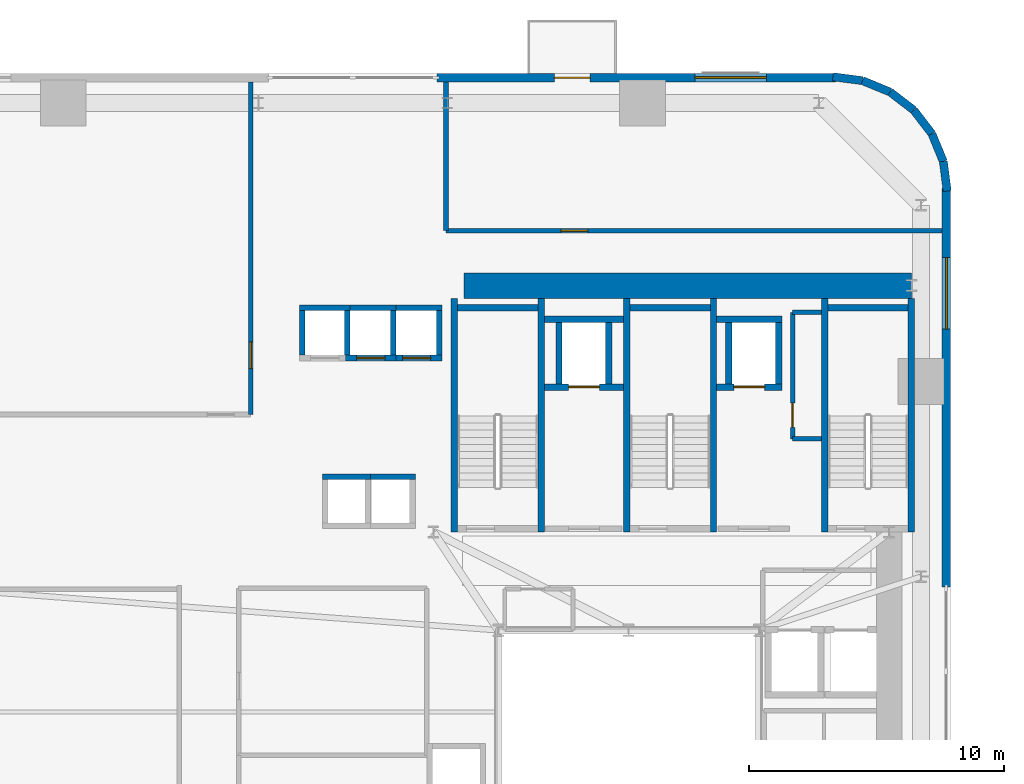
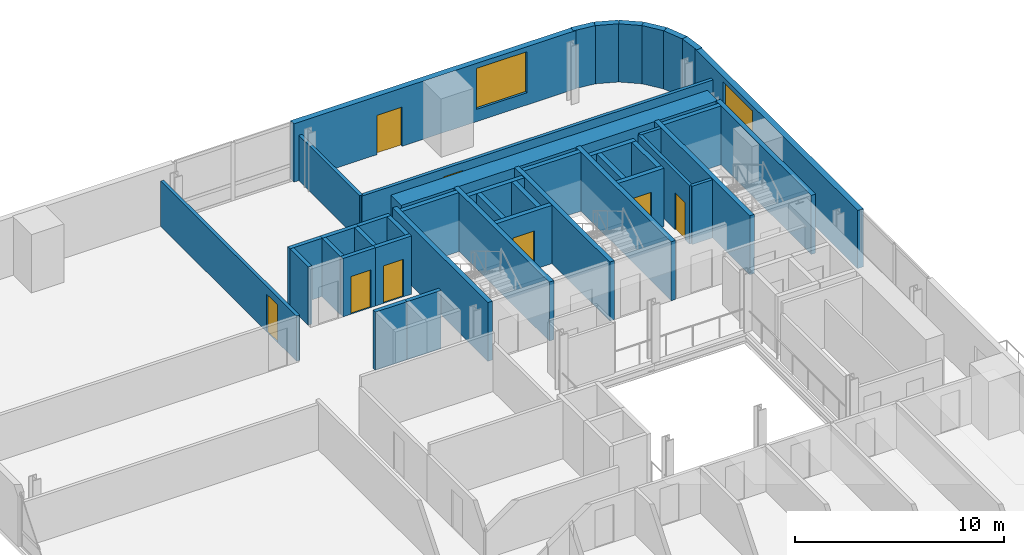
# One storey, part 8 of 13: 43 walls, 8 doors, 2 windows, 10 openings.
"""IFC4 building model written with IfcOpenShell, lengths in metres."""

from ifc_helpers import new_model, si_unit, direction, frame, frame_2d, origin, place, context, subcontext, project, spatial, rectangle, extrude, source, transform, mapped, material, layer, layer_set, type_object, element, fill, save


model = new_model("IFC4")

# Units and contexts
model_context = context("Model", 3, precision=1e-05, world=origin(), true_north=direction((0.0, 1.0)))
body_context = subcontext(model_context, "Body", "Model", "MODEL_VIEW")
ifc_project = project(units=[si_unit("LENGTHUNIT", "METRE"), si_unit("AREAUNIT", "SQUARE_METRE"), si_unit("VOLUMEUNIT", "CUBIC_METRE"), si_unit("PLANEANGLEUNIT", "RADIAN"), si_unit("MASSUNIT", "GRAM", prefix="KILO")], contexts=[model_context])

# Site, building, storey
site_placement = place(None, origin())
site = spatial("IfcSite", under=ifc_project, at=site_placement, CompositionType="ELEMENT")
building_placement = place(site_placement, origin())
building = spatial("IfcBuilding", under=site, at=building_placement, Name="Vardaveli Station Tower", CompositionType="ELEMENT")
storey_placement = place(building_placement, frame((0.0, 0.0, 64.10009765625)))
storey = spatial("IfcBuildingStorey", under=building, at=storey_placement, Name="L16", CompositionType="ELEMENT", Elevation=64.10009765625)

# Wall
ifc_material_1 = material(Name="Concrete C60/75", Category="concrete")
ifc_layer_1 = layer(ifc_material_1, 1.0, Name="Concrete C60/75")
ifc_layer_set_1 = layer_set([ifc_layer_1], Name="Concrete C60/75")
wall_type_1 = type_object("IfcWallType", Name="WAL-CORE-1000", PredefinedType="SHEAR", material=ifc_layer_set_1)
shared_shape_1 = source(origin(), body_context, "Body", "SweptSolid", [
    extrude(rectangle(XDim=17.52001953125, YDim=1.0, at=frame_2d((8.760009765625, 0.0))), origin(), (0.0, 0.0, 1.0), 3.409912109375),
])
wall_1_placement = place(storey_placement, frame((29.85009765625, 40.300048828125, 0.0), z_axis=(0.0, 0.0, 1.0), x_axis=(1.0, 0.0, 0.0)))
element("IfcWall", 1, at=wall_1_placement, inside=storey, type_object=wall_type_1, Name="SW-L16-NORTH", PredefinedType="SHEAR", context=body_context, shape_type="MappedRepresentation", body=[
    mapped(shared_shape_1, transform((0.0, 0.0, 0.0), scale=1.0)),
])

# Wall, openings, door, window
ifc_material_2 = material(Name="Precast concrete C45/55", Category="concrete")
ifc_layer_2 = layer(ifc_material_2, 0.320068359375, Name="Precast concrete C45/55")
ifc_layer_set_2 = layer_set([ifc_layer_2], Name="Precast concrete C45/55")
wall_type_2 = type_object("IfcWallType", Name="WAL-EXT-STONE-320", PredefinedType="SOLIDWALL", material=ifc_layer_set_2)
shared_shape_2 = source(origin(), body_context, "Body", "SweptSolid", [
    extrude(rectangle(XDim=15.599853515625, YDim=0.320068359375, at=frame_2d((7.7998046875, 0.0))), origin(), (0.0, 0.0, 1.0), 3.409912109375),
])
wall_2_placement = place(storey_placement, frame((44.39990234375, 48.43994140625, 0.0), z_axis=(0.0, 0.0, 1.0), x_axis=(-1.0, 0.0, 0.0)))
wall_2 = element("IfcWall", 2, at=wall_2_placement, inside=storey, type_object=wall_type_2, Name="EW-L16-N1", PredefinedType="SOLIDWALL", context=body_context, shape_type="MappedRepresentation", body=[
    mapped(shared_shape_2, transform((0.0, 0.0, 0.0), scale=1.0)),
])
shared_shape_3 = source(origin(), body_context, "Body", "SweptSolid", [
    extrude(rectangle(XDim=1.39990234375, YDim=2.300048828125, at=frame_2d((0.699951171875, 1.14990234375))), frame((0.0, 0.169921875, 0.0), z_axis=(0.0, -1.0, 0.0), x_axis=(1.0, 0.0, 0.0)), (0.0, 0.0, 1.0), 0.340087890625),
])
opening_1_placement = place(wall_2_placement, frame((9.6103515625, 0.0, 0.0)))
opening_1 = element("IfcOpeningElement", 3, at=opening_1_placement, cuts=wall_2, Name="Opening D-09", PredefinedType="OPENING", context=body_context, shape_type="MappedRepresentation", body=[
    mapped(shared_shape_3, transform((0.0, 0.0, 0.0), scale=1.0)),
])
shared_shape_4 = source(origin(), body_context, "Body", "SweptSolid", [
    extrude(rectangle(XDim=2.800048828125, YDim=2.39990234375, at=frame_2d((1.39990234375, 1.199951171875))), frame((0.0, 0.169921875, 0.0), z_axis=(0.0, -1.0, 0.0), x_axis=(1.0, 0.0, 0.0)), (0.0, 0.0, 1.0), 0.340087890625),
])
opening_2_placement = place(wall_2_placement, frame((2.705078125, 0.0, 0.719970703125)))
opening_2 = element("IfcOpeningElement", 4, at=opening_2_placement, cuts=wall_2, Name="Opening W-04", PredefinedType="OPENING", context=body_context, shape_type="MappedRepresentation", body=[
    mapped(shared_shape_4, transform((0.0, 0.0, 0.0), scale=1.0)),
])
ifc_material_3 = material(Name="Thermally broken aluminium glass", Category="aluminium")
door_type_1 = type_object("IfcDoorType", Name="DR-LOG-1400x2300", OperationType="DOUBLE_DOOR_SLIDING", PredefinedType="DOOR", material=ifc_material_3)
shared_shape_5 = source(origin(), body_context, "Body", "SweptSolid", [
    extrude(rectangle(XDim=1.39990234375, YDim=2.300048828125, at=frame_2d((0.699951171875, 1.14990234375))), frame((0.0, 0.02490234375, 0.0), z_axis=(0.0, -1.0, 0.0), x_axis=(1.0, 0.0, 0.0)), (0.0, 0.0, 1.0), 0.050048828125),
])
door_1_placement = place(opening_1_placement, frame((1.39990234375, 0.0, 0.0), z_axis=(0.0, 0.0, 1.0), x_axis=(-1.0, 0.0, 0.0)))
door_1 = element("IfcDoor", 5, at=door_1_placement, inside=storey, type_object=door_type_1, Name="DLG-L16-N", OperationType="DOUBLE_DOOR_SLIDING", OverallHeight=2.300048828125, OverallWidth=1.39990234375, PredefinedType="DOOR", context=body_context, shape_type="MappedRepresentation", body=[
    mapped(shared_shape_5, transform((0.0, 0.0, 0.0), scale=1.0)),
])
fill(opening_1, door_1)
ifc_material_4 = material(Name="Low-E solar-control glass", Category="glass")
window_type = type_object("IfcWindowType", Name="WIN-SUITE-2800x2400", PartitioningType="SINGLE_PANEL", PredefinedType="WINDOW", material=ifc_material_4)
shared_shape_6 = source(origin(), body_context, "Body", "SweptSolid", [
    extrude(rectangle(XDim=2.800048828125, YDim=2.39990234375, at=frame_2d((1.39990234375, 1.199951171875))), frame((0.0, 0.030029296875, 0.0), z_axis=(0.0, -1.0, 0.0), x_axis=(1.0, 0.0, 0.0)), (0.0, 0.0, 1.0), 0.06005859375),
])
window_1_placement = place(opening_2_placement, origin())
window_1 = element("IfcWindow", 6, at=window_1_placement, inside=storey, type_object=window_type, Name="WN-L16-N1", OverallHeight=2.39990234375, OverallWidth=2.800048828125, PartitioningType="SINGLE_PANEL", PredefinedType="WINDOW", context=body_context, shape_type="MappedRepresentation", body=[
    mapped(shared_shape_6, transform((0.0, 0.0, 0.0), scale=1.0)),
])
fill(opening_2, window_1)

# Wall, opening, window
shared_shape_7 = source(origin(), body_context, "Body", "SweptSolid", [
    extrude(rectangle(XDim=15.60009765625, YDim=0.320068359375, at=frame_2d((7.800048828125, 0.0))), origin(), (0.0, 0.0, 1.0), 3.409912109375),
])
wall_3_placement = place(storey_placement, frame((48.739990234375, 28.5, 0.0), z_axis=(0.0, 0.0, 1.0), x_axis=(0.0, 1.0, 0.0)))
wall_3 = element("IfcWall", 7, at=wall_3_placement, inside=storey, type_object=wall_type_2, Name="EW-L16-E2", PredefinedType="SOLIDWALL", context=body_context, shape_type="MappedRepresentation", body=[
    mapped(shared_shape_7, transform((0.0, 0.0, 0.0), scale=1.0)),
])
opening_3_placement = place(wall_3_placement, frame((10.094970703125, 0.0, 0.719970703125)))
opening_3 = element("IfcOpeningElement", 8, at=opening_3_placement, cuts=wall_3, Name="Opening W-04", PredefinedType="OPENING", context=body_context, shape_type="MappedRepresentation", body=[
    mapped(shared_shape_4, transform((0.0, 0.0, 0.0), scale=1.0)),
])
window_2_placement = place(opening_3_placement, origin())
window_2 = element("IfcWindow", 9, at=window_2_placement, inside=storey, type_object=window_type, Name="WN-L16-E2", OverallHeight=2.39990234375, OverallWidth=2.800048828125, PartitioningType="SINGLE_PANEL", PredefinedType="WINDOW", context=body_context, shape_type="MappedRepresentation", body=[
    mapped(shared_shape_6, transform((0.0, 0.0, 0.0), scale=1.0)),
])
fill(opening_3, window_2)

# Walls
shared_shape_8 = source(origin(), body_context, "Body", "SweptSolid", [
    extrude(rectangle(XDim=1.1689453125, YDim=0.320068359375, at=frame_2d((0.58447265625, 0.0))), origin(), (0.0, 0.0, 1.0), 3.409912109375),
])
wall_4_placement = place(storey_placement, frame((48.179931640625, 46.2412109375, 0.0), z_axis=(0.0, 0.0, 1.0), x_axis=(-0.608387696831, 0.793639975269, 0.0)))
element("IfcWall", 10, at=wall_4_placement, inside=storey, type_object=wall_type_2, Name="EW-L16-CR3-3", PredefinedType="SOLIDWALL", context=body_context, shape_type="MappedRepresentation", body=[
    mapped(shared_shape_8, transform((0.0, 0.0, 0.0), scale=1.0)),
])
shared_shape_9 = source(origin(), body_context, "Body", "SweptSolid", [
    extrude(rectangle(XDim=1.168701171875, YDim=0.320068359375, at=frame_2d((0.58447265625, 0.0))), origin(), (0.0, 0.0, 1.0), 3.409912109375),
])
wall_5_placement = place(storey_placement, frame((47.46875, 47.1689453125, 0.0), z_axis=(0.0, 0.0, 1.0), x_axis=(-0.793663520347, 0.608356981114, 0.0)))
element("IfcWall", 11, at=wall_5_placement, inside=storey, type_object=wall_type_2, Name="EW-L16-CR3-4", PredefinedType="SOLIDWALL", context=body_context, shape_type="MappedRepresentation", body=[
    mapped(shared_shape_9, transform((0.0, 0.0, 0.0), scale=1.0)),
])
shared_shape_10 = source(origin(), body_context, "Body", "SweptSolid", [
    extrude(rectangle(XDim=1.17041015625, YDim=0.320068359375, at=frame_2d((0.585205078125, 0.0))), origin(), (0.0, 0.0, 1.0), 3.409912109375),
])
for number, where, z_axis, x_axis, name in (
    (12, (48.775634765625, 43.99951171875, 0.0), (0.0, 0.0, 1.0), (-0.128295670475, 0.991735963317, 0.0), "EW-L16-CR3-1"),
    (13, (45.460205078125, 48.325439453125, 0.0), (0.0, 0.0, 1.0), (-0.991735963317, 0.128295670475, 0.0), "EW-L16-CR3-6"),
):
    element("IfcWall", number, at=place(storey_placement, frame(where, z_axis=z_axis, x_axis=x_axis)), inside=storey, type_object=wall_type_2, Name=name, PredefinedType="SOLIDWALL", context=body_context, shape_type="MappedRepresentation", body=[
        mapped(shared_shape_10, transform((0.0, 0.0, 0.0), scale=1.0)),
    ])
shared_shape_11 = source(origin(), body_context, "Body", "SweptSolid", [
    extrude(rectangle(XDim=1.169189453125, YDim=0.320068359375, at=frame_2d((0.58447265625, 0.0))), origin(), (0.0, 0.0, 1.0), 3.409912109375),
])
for number, where, z_axis, x_axis, name in (
    (14, (48.62548828125, 45.16015625, 0.0), (0.0, 0.0, 1.0), (-0.381054331552, 0.924552646638, 0.0), "EW-L16-CR3-2"),
    (15, (46.541259765625, 47.8798828125, 0.0), (0.0, 0.0, 1.0), (-0.924552646638, 0.381054331552, 0.0), "EW-L16-CR3-5"),
):
    element("IfcWall", number, at=place(storey_placement, frame(where, z_axis=z_axis, x_axis=x_axis)), inside=storey, type_object=wall_type_2, Name=name, PredefinedType="SOLIDWALL", context=body_context, shape_type="MappedRepresentation", body=[
        mapped(shared_shape_11, transform((0.0, 0.0, 0.0), scale=1.0)),
    ])
ifc_material_5 = material(Name="Concrete C40/50", Category="concrete")
ifc_layer_3 = layer(ifc_material_5, 0.25, Name="Concrete C40/50")
ifc_layer_set_3 = layer_set([ifc_layer_3], Name="Concrete C40/50")
wall_type_3 = type_object("IfcWallType", Name="WAL-SHAFT-250", PredefinedType="SOLIDWALL", material=ifc_layer_set_3)
shared_shape_12 = source(origin(), body_context, "Body", "SweptSolid", [
    extrude(rectangle(XDim=9.150146484375, YDim=0.25, at=frame_2d((4.5751953125, 0.0))), origin(), (0.0, 0.0, 1.0), 3.449951171875),
])
for number, where, z_axis, x_axis, name in (
    (16, (29.47509765625, 30.64990234375, 0.0), (0.0, 0.0, 1.0), (0.0, 1.0, 0.0), "W-L16-ST-1W"),
    (17, (32.875, 30.64990234375, 0.0), (0.0, 0.0, 1.0), (0.0, 1.0, 0.0), "W-L16-ST-1E"),
    (18, (36.22509765625, 30.64990234375, 0.0), (0.0, 0.0, 1.0), (0.0, 1.0, 0.0), "W-L16-ST-2W"),
    (19, (39.625, 30.64990234375, 0.0), (0.0, 0.0, 1.0), (0.0, 1.0, 0.0), "W-L16-ST-2E"),
    (20, (43.97509765625, 30.64990234375, 0.0), (0.0, 0.0, 1.0), (0.0, 1.0, 0.0), "W-L16-ST-3W"),
    (21, (47.375, 30.64990234375, 0.0), (0.0, 0.0, 1.0), (0.0, 1.0, 0.0), "W-L16-ST-3E"),
):
    element("IfcWall", number, at=place(storey_placement, frame(where, z_axis=z_axis, x_axis=x_axis)), inside=storey, type_object=wall_type_3, Name=name, PredefinedType="SOLIDWALL", context=body_context, shape_type="MappedRepresentation", body=[
        mapped(shared_shape_12, transform((0.0, 0.0, 0.0), scale=1.0)),
    ])
shared_shape_13 = source(origin(), body_context, "Body", "SweptSolid", [
    extrude(rectangle(XDim=3.14990234375, YDim=0.25, at=frame_2d((1.574951171875, 0.0))), origin(), (0.0, 0.0, 1.0), 3.449951171875),
])
for number, where, z_axis, x_axis, name in (
    (22, (29.60009765625, 39.425048828125, 0.0), (0.0, 0.0, 1.0), (1.0, 0.0, 0.0), "W-L16-ST-1N"),
    (23, (36.35009765625, 39.425048828125, 0.0), (0.0, 0.0, 1.0), (1.0, 0.0, 0.0), "W-L16-ST-2N"),
    (24, (44.10009765625, 39.425048828125, 0.0), (0.0, 0.0, 1.0), (1.0, 0.0, 0.0), "W-L16-ST-3N"),
):
    element("IfcWall", number, at=place(storey_placement, frame(where, z_axis=z_axis, x_axis=x_axis)), inside=storey, type_object=wall_type_3, Name=name, PredefinedType="SOLIDWALL", context=body_context, shape_type="MappedRepresentation", body=[
        mapped(shared_shape_13, transform((0.0, 0.0, 0.0), scale=1.0)),
    ])
ifc_layer_4 = layer(ifc_material_5, 0.219970703125, Name="Concrete C40/50")
ifc_layer_set_4 = layer_set([ifc_layer_4], Name="Concrete C40/50")
wall_type_4 = type_object("IfcWallType", Name="WAL-FFLOBBY-220", PredefinedType="SOLIDWALL", material=ifc_layer_set_4)
shared_shape_14 = source(origin(), body_context, "Body", "SweptSolid", [
    extrude(rectangle(XDim=1.75, YDim=0.219970703125, at=frame_2d((0.875, 0.0))), origin(), (0.0, 0.0, 1.0), 3.409912109375),
])
for number, where, z_axis, x_axis, name in (
    (25, (23.514892578125, 37.574951171875, 0.0), (0.0, 0.0, 1.0), (0.0, 1.0, 0.0), "SHW-HL1-01-L16-W"),
    (26, (25.284912109375, 37.574951171875, 0.0), (0.0, 0.0, 1.0), (0.0, 1.0, 0.0), "SHW-HL1-01-L16-E"),
    (27, (27.0849609375, 37.574951171875, 0.0), (0.0, 0.0, 1.0), (0.0, 1.0, 0.0), "SHW-HL1-02-L16-E"),
    (28, (28.885009765625, 37.574951171875, 0.0), (0.0, 0.0, 1.0), (0.0, 1.0, 0.0), "SHW-HL1-03-L16-E"),
):
    element("IfcWall", number, at=place(storey_placement, frame(where, z_axis=z_axis, x_axis=x_axis)), inside=storey, type_object=wall_type_4, Name=name, PredefinedType="SOLIDWALL", context=body_context, shape_type="MappedRepresentation", body=[
        mapped(shared_shape_14, transform((0.0, 0.0, 0.0), scale=1.0)),
    ])
shared_shape_15 = source(origin(), body_context, "Body", "SweptSolid", [
    extrude(rectangle(XDim=1.989990234375, YDim=0.219970703125, at=frame_2d((0.9951171875, 0.0))), origin(), (0.0, 0.0, 1.0), 3.409912109375),
])
wall_6_placement = place(storey_placement, frame((23.405029296875, 39.43505859375, 0.0), z_axis=(0.0, 0.0, 1.0), x_axis=(1.0, 0.0, 0.0)))
element("IfcWall", 29, at=wall_6_placement, inside=storey, type_object=wall_type_4, Name="SHW-HL1-01-L16-N", PredefinedType="SOLIDWALL", context=body_context, shape_type="MappedRepresentation", body=[
    mapped(shared_shape_15, transform((0.0, 0.0, 0.0), scale=1.0)),
])

# Wall, opening, door
wall_7_placement = place(storey_placement, frame((25.205078125, 37.465087890625, 0.0), z_axis=(0.0, 0.0, 1.0), x_axis=(1.0, 0.0, 0.0)))
wall_7 = element("IfcWall", 30, at=wall_7_placement, inside=storey, type_object=wall_type_4, Name="SHW-HL1-02-L16-S", PredefinedType="SOLIDWALL", context=body_context, shape_type="MappedRepresentation", body=[
    mapped(shared_shape_15, transform((0.0, 0.0, 0.0), scale=1.0)),
])
shared_shape_16 = source(origin(), body_context, "Body", "SweptSolid", [
    extrude(rectangle(XDim=1.10009765625, YDim=2.199951171875, at=frame_2d((0.550048828125, 1.10009765625))), frame((0.0, 0.1201171875, 0.0), z_axis=(0.0, -1.0, 0.0), x_axis=(1.0, 0.0, 0.0)), (0.0, 0.0, 1.0), 0.239990234375),
])
opening_4_placement = place(wall_7_placement, frame((0.445068359375, 0.0, 0.0)))
opening_4 = element("IfcOpeningElement", 31, at=opening_4_placement, cuts=wall_7, Name="Opening LD-01", PredefinedType="OPENING", context=body_context, shape_type="MappedRepresentation", body=[
    mapped(shared_shape_16, transform((0.0, 0.0, 0.0), scale=1.0)),
])
ifc_material_6 = material(Name="Brushed stainless steel", Category="steel")
door_type_2 = type_object("IfcDoorType", Name="DR-LD-1100x2200", OperationType="DOUBLE_DOOR_SLIDING", PredefinedType="DOOR", material=ifc_material_6)
shared_shape_17 = source(origin(), body_context, "Body", "SweptSolid", [
    extrude(rectangle(XDim=1.10009765625, YDim=2.199951171875, at=frame_2d((0.550048828125, 1.10009765625))), frame((0.0, 0.02490234375, 0.0), z_axis=(0.0, -1.0, 0.0), x_axis=(1.0, 0.0, 0.0)), (0.0, 0.0, 1.0), 0.050048828125),
])
door_2_placement = place(opening_4_placement, origin())
door_2 = element("IfcDoor", 32, at=door_2_placement, inside=storey, type_object=door_type_2, Name="LD-HL1-02-L16", OperationType="DOUBLE_DOOR_SLIDING", OverallHeight=2.199951171875, OverallWidth=1.10009765625, PredefinedType="DOOR", context=body_context, shape_type="MappedRepresentation", body=[
    mapped(shared_shape_17, transform((0.0, 0.0, 0.0), scale=1.0)),
])
fill(opening_4, door_2)

# Wall
wall_8_placement = place(storey_placement, frame((25.205078125, 39.43505859375, 0.0), z_axis=(0.0, 0.0, 1.0), x_axis=(1.0, 0.0, 0.0)))
element("IfcWall", 33, at=wall_8_placement, inside=storey, type_object=wall_type_4, Name="SHW-HL1-02-L16-N", PredefinedType="SOLIDWALL", context=body_context, shape_type="MappedRepresentation", body=[
    mapped(shared_shape_15, transform((0.0, 0.0, 0.0), scale=1.0)),
])

# Wall, opening, door
shared_shape_18 = source(origin(), body_context, "Body", "SweptSolid", [
    extrude(rectangle(XDim=1.990234375, YDim=0.219970703125, at=frame_2d((0.9951171875, 0.0))), origin(), (0.0, 0.0, 1.0), 3.409912109375),
])
wall_9_placement = place(storey_placement, frame((27.0048828125, 37.465087890625, 0.0), z_axis=(0.0, 0.0, 1.0), x_axis=(1.0, 0.0, 0.0)))
wall_9 = element("IfcWall", 34, at=wall_9_placement, inside=storey, type_object=wall_type_4, Name="SHW-HL1-03-L16-S", PredefinedType="SOLIDWALL", context=body_context, shape_type="MappedRepresentation", body=[
    mapped(shared_shape_18, transform((0.0, 0.0, 0.0), scale=1.0)),
])
opening_5_placement = place(wall_9_placement, frame((0.445068359375, 0.0, 0.0)))
opening_5 = element("IfcOpeningElement", 35, at=opening_5_placement, cuts=wall_9, Name="Opening LD-01", PredefinedType="OPENING", context=body_context, shape_type="MappedRepresentation", body=[
    mapped(shared_shape_16, transform((0.0, 0.0, 0.0), scale=1.0)),
])
door_3_placement = place(opening_5_placement, origin())
door_3 = element("IfcDoor", 36, at=door_3_placement, inside=storey, type_object=door_type_2, Name="LD-HL1-03-L16", OperationType="DOUBLE_DOOR_SLIDING", OverallHeight=2.199951171875, OverallWidth=1.10009765625, PredefinedType="DOOR", context=body_context, shape_type="MappedRepresentation", body=[
    mapped(shared_shape_17, transform((0.0, 0.0, 0.0), scale=1.0)),
])
fill(opening_5, door_3)

# Wall
wall_10_placement = place(storey_placement, frame((27.0048828125, 39.43505859375, 0.0), z_axis=(0.0, 0.0, 1.0), x_axis=(1.0, 0.0, 0.0)))
element("IfcWall", 37, at=wall_10_placement, inside=storey, type_object=wall_type_4, Name="SHW-HL1-03-L16-N", PredefinedType="SOLIDWALL", context=body_context, shape_type="MappedRepresentation", body=[
    mapped(shared_shape_18, transform((0.0, 0.0, 0.0), scale=1.0)),
])

# Wall, opening, door
shared_shape_19 = source(origin(), body_context, "Body", "SweptSolid", [
    extrude(rectangle(XDim=3.10009765625, YDim=0.25, at=frame_2d((1.550048828125, 0.0))), origin(), (0.0, 0.0, 1.0), 3.409912109375),
])
wall_11_placement = place(storey_placement, frame((33.0, 36.324951171875, 0.0), z_axis=(0.0, 0.0, 1.0), x_axis=(1.0, 0.0, 0.0)))
wall_11 = element("IfcWall", 38, at=wall_11_placement, inside=storey, type_object=wall_type_3, Name="SHW-FFL-01-L16-S", PredefinedType="SOLIDWALL", context=body_context, shape_type="MappedRepresentation", body=[
    mapped(shared_shape_19, transform((0.0, 0.0, 0.0), scale=1.0)),
])
shared_shape_20 = source(origin(), body_context, "Body", "SweptSolid", [
    extrude(rectangle(XDim=1.199951171875, YDim=2.25, at=frame_2d((0.60009765625, 1.125))), frame((0.0, 0.135009765625, 0.0), z_axis=(0.0, -1.0, 0.0), x_axis=(1.0, 0.0, 0.0)), (0.0, 0.0, 1.0), 0.27001953125),
])
opening_6_placement = place(wall_11_placement, frame((0.949951171875, 0.0, 0.0)))
opening_6 = element("IfcOpeningElement", 39, at=opening_6_placement, cuts=wall_11, Name="Opening LD-02", PredefinedType="OPENING", context=body_context, shape_type="MappedRepresentation", body=[
    mapped(shared_shape_20, transform((0.0, 0.0, 0.0), scale=1.0)),
])
door_type_3 = type_object("IfcDoorType", Name="DR-LD-1200x2250", OperationType="DOUBLE_DOOR_SLIDING", PredefinedType="DOOR", material=ifc_material_6)
shared_shape_21 = source(origin(), body_context, "Body", "SweptSolid", [
    extrude(rectangle(XDim=1.199951171875, YDim=2.25, at=frame_2d((0.60009765625, 1.125))), frame((0.0, 0.02490234375, 0.0), z_axis=(0.0, -1.0, 0.0), x_axis=(1.0, 0.0, 0.0)), (0.0, 0.0, 1.0), 0.050048828125),
])
door_4_placement = place(opening_6_placement, origin())
door_4 = element("IfcDoor", 40, at=door_4_placement, inside=storey, type_object=door_type_3, Name="LD-FFL-01-L16", OperationType="DOUBLE_DOOR_SLIDING", OverallHeight=2.25, OverallWidth=1.199951171875, PredefinedType="DOOR", context=body_context, shape_type="MappedRepresentation", body=[
    mapped(shared_shape_21, transform((0.0, 0.0, 0.0), scale=1.0)),
])
fill(opening_6, door_4)

# Walls
wall_12_placement = place(storey_placement, frame((33.0, 38.97509765625, 0.0), z_axis=(0.0, 0.0, 1.0), x_axis=(1.0, 0.0, 0.0)))
element("IfcWall", 41, at=wall_12_placement, inside=storey, type_object=wall_type_3, Name="SHW-FFL-01-L16-N", PredefinedType="SOLIDWALL", context=body_context, shape_type="MappedRepresentation", body=[
    mapped(shared_shape_19, transform((0.0, 0.0, 0.0), scale=1.0)),
])
shared_shape_22 = source(origin(), body_context, "Body", "SweptSolid", [
    extrude(rectangle(XDim=2.400146484375, YDim=0.25, at=frame_2d((1.2001953125, 0.0))), origin(), (0.0, 0.0, 1.0), 3.409912109375),
])
for number, where, z_axis, x_axis, name in (
    (42, (33.574951171875, 36.449951171875, 0.0), (0.0, 0.0, 1.0), (0.0, 1.0, 0.0), "SHW-FFL-01-L16-W"),
    (43, (35.52490234375, 36.449951171875, 0.0), (0.0, 0.0, 1.0), (0.0, 1.0, 0.0), "SHW-FFL-01-L16-E"),
    (44, (40.22509765625, 36.449951171875, 0.0), (0.0, 0.0, 1.0), (0.0, 1.0, 0.0), "SHW-FFL-02-L16-W"),
    (45, (42.175048828125, 36.449951171875, 0.0), (0.0, 0.0, 1.0), (0.0, 1.0, 0.0), "SHW-FFL-02-L16-E"),
):
    element("IfcWall", number, at=place(storey_placement, frame(where, z_axis=z_axis, x_axis=x_axis)), inside=storey, type_object=wall_type_3, Name=name, PredefinedType="SOLIDWALL", context=body_context, shape_type="MappedRepresentation", body=[
        mapped(shared_shape_22, transform((0.0, 0.0, 0.0), scale=1.0)),
    ])

# Wall, opening, door
shared_shape_23 = source(origin(), body_context, "Body", "SweptSolid", [
    extrude(rectangle(XDim=2.550048828125, YDim=0.25, at=frame_2d((1.27490234375, 0.0))), origin(), (0.0, 0.0, 1.0), 3.409912109375),
])
wall_13_placement = place(storey_placement, frame((39.75, 36.324951171875, 0.0), z_axis=(0.0, 0.0, 1.0), x_axis=(1.0, 0.0, 0.0)))
wall_13 = element("IfcWall", 46, at=wall_13_placement, inside=storey, type_object=wall_type_3, Name="SHW-FFL-02-L16-S", PredefinedType="SOLIDWALL", context=body_context, shape_type="MappedRepresentation", body=[
    mapped(shared_shape_23, transform((0.0, 0.0, 0.0), scale=1.0)),
])
opening_7_placement = place(wall_13_placement, frame((0.675048828125, 0.0, 0.0)))
opening_7 = element("IfcOpeningElement", 47, at=opening_7_placement, cuts=wall_13, Name="Opening LD-02", PredefinedType="OPENING", context=body_context, shape_type="MappedRepresentation", body=[
    mapped(shared_shape_20, transform((0.0, 0.0, 0.0), scale=1.0)),
])
door_5_placement = place(opening_7_placement, origin())
door_5 = element("IfcDoor", 48, at=door_5_placement, inside=storey, type_object=door_type_3, Name="LD-FFL-02-L16", OperationType="DOUBLE_DOOR_SLIDING", OverallHeight=2.25, OverallWidth=1.199951171875, PredefinedType="DOOR", context=body_context, shape_type="MappedRepresentation", body=[
    mapped(shared_shape_21, transform((0.0, 0.0, 0.0), scale=1.0)),
])
fill(opening_7, door_5)

# Walls
wall_14_placement = place(storey_placement, frame((39.75, 38.97509765625, 0.0), z_axis=(0.0, 0.0, 1.0), x_axis=(1.0, 0.0, 0.0)))
element("IfcWall", 49, at=wall_14_placement, inside=storey, type_object=wall_type_3, Name="SHW-FFL-02-L16-N", PredefinedType="SOLIDWALL", context=body_context, shape_type="MappedRepresentation", body=[
    mapped(shared_shape_23, transform((0.0, 0.0, 0.0), scale=1.0)),
])
shared_shape_24 = source(origin(), body_context, "Body", "SweptSolid", [
    extrude(rectangle(XDim=1.89013671875, YDim=0.219970703125, at=frame_2d((0.945068359375, 0.0))), origin(), (0.0, 0.0, 1.0), 3.409912109375),
])
for number, where, z_axis, x_axis, name in (
    (50, (24.304931640625, 32.81005859375, 0.0), (0.0, 0.0, 1.0), (1.0, 0.0, 0.0), "SHW-SHU-01-L16-N"),
    (51, (26.054931640625, 32.81005859375, 0.0), (0.0, 0.0, 1.0), (1.0, 0.0, 0.0), "SHW-SHU-02-L16-N"),
):
    element("IfcWall", number, at=place(storey_placement, frame(where, z_axis=z_axis, x_axis=x_axis)), inside=storey, type_object=wall_type_4, Name=name, PredefinedType="SOLIDWALL", context=body_context, shape_type="MappedRepresentation", body=[
        mapped(shared_shape_24, transform((0.0, 0.0, 0.0), scale=1.0)),
    ])

# Wall, opening, door
ifc_material_7 = material(Name="Fire-rated gypsum stud partition")
ifc_layer_5 = layer(ifc_material_7, 0.179931640625, Name="Fire-rated gypsum stud partition")
ifc_layer_set_5 = layer_set([ifc_layer_5], Name="Fire-rated gypsum stud partition")
wall_type_5 = type_object("IfcWallType", Name="WAL-CORR-180", PredefinedType="PARTITIONING", material=ifc_layer_set_5)
shared_shape_25 = source(origin(), body_context, "Body", "SweptSolid", [
    extrude(rectangle(XDim=19.427978515625, YDim=0.179931640625, at=frame_2d((9.7138671875, 0.0))), origin(), (0.0, 0.0, 1.0), 2.65185546875),
])
wall_15_placement = place(storey_placement, frame((29.14990234375, 42.449951171875, 0.0), z_axis=(0.0, 0.0, 1.0), x_axis=(1.0, 0.0, 0.0)))
wall_15 = element("IfcWall", 52, at=wall_15_placement, inside=storey, type_object=wall_type_5, Name="W-L16-NPS", PredefinedType="PARTITIONING", context=body_context, shape_type="MappedRepresentation", body=[
    mapped(shared_shape_25, transform((0.0, 0.0, 0.0), scale=1.0)),
])
shared_shape_26 = source(origin(), body_context, "Body", "SweptSolid", [
    extrude(rectangle(XDim=1.050048828125, YDim=2.199951171875, at=frame_2d((0.52490234375, 1.10009765625))), frame((0.0, 0.10009765625, 0.0), z_axis=(0.0, -1.0, 0.0), x_axis=(1.0, 0.0, 0.0)), (0.0, 0.0, 1.0), 0.199951171875),
])
opening_8_placement = place(wall_15_placement, frame((4.5, 0.0, 0.0)))
opening_8 = element("IfcOpeningElement", 53, at=opening_8_placement, cuts=wall_15, Name="Opening D-05", PredefinedType="OPENING", context=body_context, shape_type="MappedRepresentation", body=[
    mapped(shared_shape_26, transform((0.0, 0.0, 0.0), scale=1.0)),
])
ifc_material_8 = material(Name="Walnut veneer acoustic fire door")
door_type_4 = type_object("IfcDoorType", Name="DR-SUITE-1050x2200", OperationType="NOTDEFINED", PredefinedType="DOOR", material=ifc_material_8)
shared_shape_27 = source(origin(), body_context, "Body", "SweptSolid", [
    extrude(rectangle(XDim=1.050048828125, YDim=2.199951171875, at=frame_2d((0.52490234375, 1.10009765625))), frame((0.0, 0.02490234375, 0.0), z_axis=(0.0, -1.0, 0.0), x_axis=(1.0, 0.0, 0.0)), (0.0, 0.0, 1.0), 0.050048828125),
])
door_6_placement = place(opening_8_placement, origin())
door_6 = element("IfcDoor", 54, at=door_6_placement, inside=storey, type_object=door_type_4, Name="D-L16-NP1", OperationType="SINGLE_SWING_RIGHT", OverallHeight=2.199951171875, OverallWidth=1.050048828125, PredefinedType="DOOR", context=body_context, shape_type="MappedRepresentation", body=[
    mapped(shared_shape_27, transform((0.0, 0.0, 0.0), scale=1.0)),
])
fill(opening_8, door_6)

# Wall
shared_shape_28 = source(origin(), body_context, "Body", "SweptSolid", [
    extrude(rectangle(XDim=5.828125, YDim=0.179931640625, at=frame_2d((2.9140625, 0.0))), origin(), (0.0, 0.0, 1.0), 2.65185546875),
])
wall_16_placement = place(storey_placement, frame((29.14990234375, 42.449951171875, 0.0), z_axis=(0.0, 0.0, 1.0), x_axis=(0.0, 1.0, 0.0)))
element("IfcWall", 55, at=wall_16_placement, inside=storey, type_object=wall_type_5, Name="W-L16-NPW", PredefinedType="PARTITIONING", context=body_context, shape_type="MappedRepresentation", body=[
    mapped(shared_shape_28, transform((0.0, 0.0, 0.0), scale=1.0)),
])

# Wall, opening, door
shared_shape_29 = source(origin(), body_context, "Body", "SweptSolid", [
    extrude(rectangle(XDim=4.949951171875, YDim=0.179931640625, at=frame_2d((2.47509765625, 0.0))), origin(), (0.0, 0.0, 1.0), 3.409912109375),
])
wall_17_placement = place(storey_placement, frame((42.719970703125, 34.300048828125, 0.0), z_axis=(0.0, 0.0, 1.0), x_axis=(0.0, 1.0, 0.0)))
wall_17 = element("IfcWall", 56, at=wall_17_placement, inside=storey, type_object=wall_type_5, Name="W-L16-CBS1-W", PredefinedType="PARTITIONING", context=body_context, shape_type="MappedRepresentation", body=[
    mapped(shared_shape_29, transform((0.0, 0.0, 0.0), scale=1.0)),
])
shared_shape_30 = source(origin(), body_context, "Body", "SweptSolid", [
    extrude(rectangle(XDim=0.949951171875, YDim=2.14990234375, at=frame_2d((0.47509765625, 1.074951171875))), frame((0.0, 0.10009765625, 0.0), z_axis=(0.0, -1.0, 0.0), x_axis=(1.0, 0.0, 0.0)), (0.0, 0.0, 1.0), 0.199951171875),
])
opening_9_placement = place(wall_17_placement, frame((0.449951171875, 0.0, 0.0)))
opening_9 = element("IfcOpeningElement", 57, at=opening_9_placement, cuts=wall_17, Name="Opening D-06", PredefinedType="OPENING", context=body_context, shape_type="MappedRepresentation", body=[
    mapped(shared_shape_30, transform((0.0, 0.0, 0.0), scale=1.0)),
])
ifc_material_9 = material(Name="Oak veneer acoustic fire door")
door_type_5 = type_object("IfcDoorType", Name="DR-GUEST-950x2150", OperationType="NOTDEFINED", PredefinedType="DOOR", material=ifc_material_9)
shared_shape_31 = source(origin(), body_context, "Body", "SweptSolid", [
    extrude(rectangle(XDim=0.949951171875, YDim=2.14990234375, at=frame_2d((0.47509765625, 1.074951171875))), frame((0.0, 0.02490234375, 0.0), z_axis=(0.0, -1.0, 0.0), x_axis=(1.0, 0.0, 0.0)), (0.0, 0.0, 1.0), 0.050048828125),
])
door_7_placement = place(opening_9_placement, origin())
door_7 = element("IfcDoor", 58, at=door_7_placement, inside=storey, type_object=door_type_5, Name="D-L16-HKP", OperationType="SINGLE_SWING_LEFT", OverallHeight=2.14990234375, OverallWidth=0.949951171875, PredefinedType="DOOR", context=body_context, shape_type="MappedRepresentation", body=[
    mapped(shared_shape_31, transform((0.0, 0.0, 0.0), scale=1.0)),
])
fill(opening_9, door_7)

# Walls
shared_shape_32 = source(origin(), body_context, "Body", "SweptSolid", [
    extrude(rectangle(XDim=1.1279296875, YDim=0.179931640625, at=frame_2d((0.56396484375, 0.0))), origin(), (0.0, 0.0, 1.0), 3.409912109375),
])
for number, where, z_axis, x_axis, name in (
    (59, (42.719970703125, 34.300048828125, 0.0), (0.0, 0.0, 1.0), (1.0, 0.0, 0.0), "W-L16-CBS1-S"),
    (60, (42.719970703125, 39.25, 0.0), (0.0, 0.0, 1.0), (1.0, 0.0, 0.0), "W-L16-CBS1-N"),
):
    element("IfcWall", number, at=place(storey_placement, frame(where, z_axis=z_axis, x_axis=x_axis)), inside=storey, type_object=wall_type_5, Name=name, PredefinedType="PARTITIONING", context=body_context, shape_type="MappedRepresentation", body=[
        mapped(shared_shape_32, transform((0.0, 0.0, 0.0), scale=1.0)),
    ])

# Wall, opening, door
shared_shape_33 = source(origin(), body_context, "Body", "SweptSolid", [
    extrude(rectangle(XDim=13.028076171875, YDim=0.179931640625, at=frame_2d((6.51416015625, 0.0))), origin(), (0.0, 0.0, 1.0), 2.65185546875),
])
wall_18_placement = place(storey_placement, frame((21.5, 35.25, 0.0), z_axis=(0.0, 0.0, 1.0), x_axis=(0.0, 1.0, 0.0)))
wall_18 = element("IfcWall", 61, at=wall_18_placement, inside=storey, type_object=wall_type_5, Name="W-L16-CNWE", PredefinedType="PARTITIONING", context=body_context, shape_type="MappedRepresentation", body=[
    mapped(shared_shape_33, transform((0.0, 0.0, 0.0), scale=1.0)),
])
opening_10_placement = place(wall_18_placement, frame((1.800048828125, 0.0, 0.0)))
opening_10 = element("IfcOpeningElement", 62, at=opening_10_placement, cuts=wall_18, Name="Opening D-05", PredefinedType="OPENING", context=body_context, shape_type="MappedRepresentation", body=[
    mapped(shared_shape_26, transform((0.0, 0.0, 0.0), scale=1.0)),
])
door_8_placement = place(opening_10_placement, origin())
door_8 = element("IfcDoor", 63, at=door_8_placement, inside=storey, type_object=door_type_4, Name="D-L16-GNWE", OperationType="SINGLE_SWING_RIGHT", OverallHeight=2.199951171875, OverallWidth=1.050048828125, PredefinedType="DOOR", context=body_context, shape_type="MappedRepresentation", body=[
    mapped(shared_shape_27, transform((0.0, 0.0, 0.0), scale=1.0)),
])
fill(opening_10, door_8)

save(model, "model.ifc")
